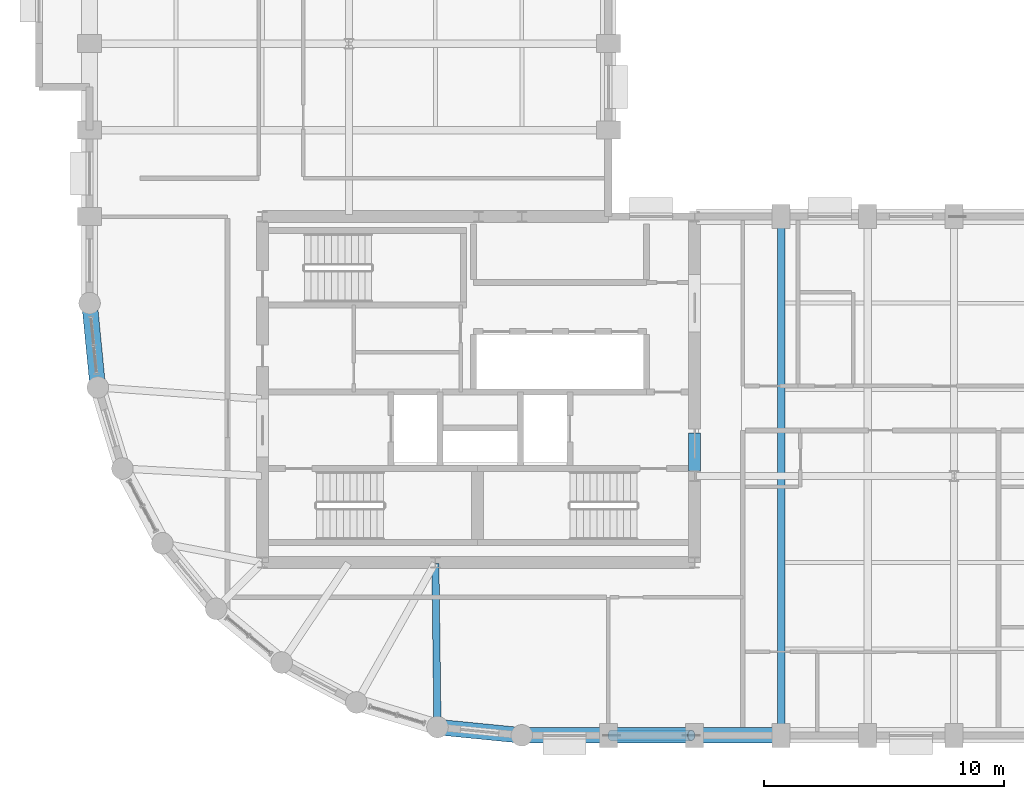
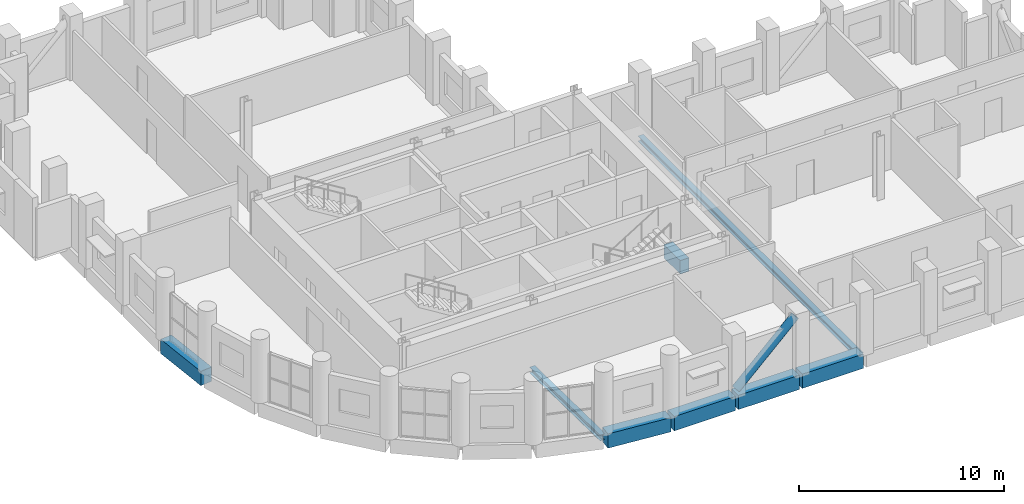
# One storey, part 4 of 14: 8 beams, 1 member.
"""IFC4 building model written with IfcOpenShell, lengths in metres."""

from ifc_helpers import new_model, si_unit, direction, frame, origin, origin_2d, place, context, subcontext, project, spatial, rectangle, hollow_circle, i_section, extrude, material, material_profile, profile_set, type_object, element, save


model = new_model("IFC4")

# Units and contexts
model_context = context("Model", 3, precision=1e-05, world=origin(), true_north=direction((0.0, 1.0)))
body_context = subcontext(model_context, "Body", "Model", "MODEL_VIEW")
ifc_project = project(units=[si_unit("LENGTHUNIT", "METRE"), si_unit("AREAUNIT", "SQUARE_METRE"), si_unit("VOLUMEUNIT", "CUBIC_METRE"), si_unit("PLANEANGLEUNIT", "RADIAN"), si_unit("MASSUNIT", "GRAM", prefix="KILO")], contexts=[model_context])

# Site, building, storey
site_placement = place(None, origin())
site = spatial("IfcSite", under=ifc_project, at=site_placement, CompositionType="ELEMENT")
building_placement = place(site_placement, origin())
building = spatial("IfcBuilding", under=site, at=building_placement, Name="Solnavia Interchange Tower", CompositionType="ELEMENT")
storey_placement = place(building_placement, frame((0.0, 0.0, 158.0)))
storey = spatial("IfcBuildingStorey", under=building, at=storey_placement, Name="L39", CompositionType="ELEMENT", Elevation=158.0)

# Beams
ifc_material_1 = material(Name="Concrete C50/60", Category="concrete")
ifc_material_profile_1 = material_profile(ifc_material_1, rectangle(XDim=0.5, YDim=0.800048828125, at=origin_2d()), Name="RC 500x800")
ifc_profile_set_1 = profile_set([ifc_material_profile_1], Name="Concrete C50/60")
beam_type_1 = type_object("IfcBeamType", Name="Beam-Coupling-RC500x800", PredefinedType="LINTEL", material=ifc_profile_set_1)
beam_1_placement = place(storey_placement, frame((32.39990234375, 14.60009765625, -0.39990234375), z_axis=(0.0, 1.0, 0.0), x_axis=(-1.0, 0.0, 0.0)))
element("IfcBeam", 1, at=beam_1_placement, inside=storey, type_object=beam_type_1, Name="CPB-L39-E1 Core coupling lintel beam", PredefinedType="LINTEL", context=body_context, shape_type="SweptSolid", body=[
    extrude(rectangle(XDim=0.5, YDim=0.800048828125, at=origin_2d()), origin(), (0.0, 0.0, 1.0), 1.599853515625),
])
ifc_material_2 = material(Name="Steel S355", Category="steel")
ifc_material_profile_2 = material_profile(ifc_material_2, i_section(OverallWidth=0.300048828125, OverallDepth=0.31005859375, WebThickness=0.009033203125, FlangeThickness=0.015380859375, FilletRadius=0.027099609375, at=origin_2d()), Name="HEA 320")
ifc_profile_set_2 = profile_set([ifc_material_profile_2], Name="Steel S355")
beam_type_2 = type_object("IfcBeamType", Name="Beam-Primary-HEA320", PredefinedType="BEAM", material=ifc_profile_set_2)
beam_2_placement = place(storey_placement, frame((36.0, 3.679931640625, -0.405029296875), z_axis=(0.0, 1.0, 0.0), x_axis=(-1.0, 0.0, 0.0)))
element("IfcBeam", 2, at=beam_2_placement, inside=storey, type_object=beam_type_2, Name="GRD-L39-EW03 East wing primary floor girder", PredefinedType="BEAM", context=body_context, shape_type="SweptSolid", body=[
    extrude(i_section(OverallWidth=0.300048828125, OverallDepth=0.31005859375, WebThickness=0.009033203125, FlangeThickness=0.015380859375, FilletRadius=0.027099609375, at=origin_2d()), origin(), (0.0, 0.0, 1.0), 21.440185546875),
])
ifc_material_profile_3 = material_profile(ifc_material_2, i_section(OverallWidth=0.300048828125, OverallDepth=0.35009765625, WebThickness=0.010009765625, FlangeThickness=0.017578125, FilletRadius=0.027099609375, at=origin_2d()), Name="HEA 360")
ifc_profile_set_3 = profile_set([ifc_material_profile_3], Name="Steel S355")
beam_type_3 = type_object("IfcBeamType", Name="Beam-Primary-HEA360", PredefinedType="BEAM", material=ifc_profile_set_3)
beam_3_placement = place(storey_placement, frame((21.68701171875, 4.02587890625, -0.425048828125), z_axis=(-0.01283293513, 0.999917654498, 0.0), x_axis=(-0.999917654498, -0.01283293513, 0.0)))
element("IfcBeam", 3, at=beam_3_placement, inside=storey, type_object=beam_type_3, Name="GRD-L39-DR20 Drum radial floor girder", PredefinedType="BEAM", context=body_context, shape_type="SweptSolid", body=[
    extrude(i_section(OverallWidth=0.300048828125, OverallDepth=0.35009765625, WebThickness=0.010009765625, FlangeThickness=0.017578125, FilletRadius=0.027099609375, at=origin_2d()), origin(), (0.0, 0.0, 1.0), 6.734619140625),
])
ifc_material_profile_4 = material_profile(ifc_material_1, rectangle(XDim=0.64990234375, YDim=0.85009765625, at=origin_2d()), Name="RC 650x850")
ifc_profile_set_4 = profile_set([ifc_material_profile_4], Name="Concrete C50/60")
beam_type_4 = type_object("IfcBeamType", Name="Beam-Spandrel-RC650x850", PredefinedType="SPANDREL", material=ifc_profile_set_4)
beam_4_placement = place(storey_placement, frame((7.207763671875, 21.5205078125, -0.425048828125), z_axis=(0.098040038117, -0.995182471171, 0.0), x_axis=(0.995182471171, 0.098040038117, 0.0)))
element("IfcBeam", 4, at=beam_4_placement, inside=storey, type_object=beam_type_4, Name="SPB-L39-01 Framed-tube perimeter spandrel beam", PredefinedType="SPANDREL", context=body_context, shape_type="SweptSolid", body=[
    extrude(rectangle(XDim=0.64990234375, YDim=0.85009765625, at=origin_2d()), origin(), (0.0, 0.0, 1.0), 3.369140625),
])
beam_5_placement = place(storey_placement, frame((21.767578125, 3.938232421875, -0.425048828125), z_axis=(0.995181774609, -0.098047108501, 0.0), x_axis=(0.098047108501, 0.995181774609, 0.0)))
element("IfcBeam", 5, at=beam_5_placement, inside=storey, type_object=beam_type_4, Name="SPB-L39-08 Framed-tube perimeter spandrel beam", PredefinedType="SPANDREL", context=body_context, shape_type="SweptSolid", body=[
    extrude(rectangle(XDim=0.64990234375, YDim=0.85009765625, at=origin_2d()), origin(), (0.0, 0.0, 1.0), 3.368896484375),
])
beam_6_placement = place(storey_placement, frame((25.280029296875, 3.60009765625, -0.425048828125), z_axis=(1.0, 0.0, 0.0), x_axis=(0.0, 1.0, 0.0)))
element("IfcBeam", 6, at=beam_6_placement, inside=storey, type_object=beam_type_4, Name="SPB-L39-09 Framed-tube perimeter spandrel beam", PredefinedType="SPANDREL", context=body_context, shape_type="SweptSolid", body=[
    extrude(rectangle(XDim=0.64990234375, YDim=0.85009765625, at=origin_2d()), origin(), (0.0, 0.0, 1.0), 3.43994140625),
])
beam_7_placement = place(storey_placement, frame((28.8798828125, 3.60009765625, -0.425048828125), z_axis=(1.0, 0.0, 0.0), x_axis=(0.0, 1.0, 0.0)))
element("IfcBeam", 7, at=beam_7_placement, inside=storey, type_object=beam_type_4, Name="SPB-L39-10 Framed-tube perimeter spandrel beam", PredefinedType="SPANDREL", context=body_context, shape_type="SweptSolid", body=[
    extrude(rectangle(XDim=0.64990234375, YDim=0.85009765625, at=origin_2d()), origin(), (0.0, 0.0, 1.0), 3.440185546875),
])
beam_8_placement = place(storey_placement, frame((32.47998046875, 3.60009765625, -0.425048828125), z_axis=(1.0, 0.0, 0.0), x_axis=(0.0, 1.0, 0.0)))
element("IfcBeam", 8, at=beam_8_placement, inside=storey, type_object=beam_type_4, Name="SPB-L39-11 Framed-tube perimeter spandrel beam", PredefinedType="SPANDREL", context=body_context, shape_type="SweptSolid", body=[
    extrude(rectangle(XDim=0.64990234375, YDim=0.85009765625, at=origin_2d()), origin(), (0.0, 0.0, 1.0), 3.43994140625),
])

# Member
ifc_material_3 = material(Name="Steel S460", Category="steel")
ifc_material_profile_5 = material_profile(ifc_material_3, hollow_circle(Radius=0.228515625, WallThickness=0.02001953125, at=origin_2d()), Name="CHS 457x20")
ifc_profile_set_5 = profile_set([ifc_material_profile_5], Name="Steel S460")
member_type = type_object("IfcMemberType", Name="Brace-Perim-CHS457", PredefinedType="BRACE", material=ifc_profile_set_5)
member_placement = place(storey_placement, frame((28.93994140625, 3.60009765625, 0.179931640625), z_axis=(0.721070427335, 0.0, 0.692861774688), x_axis=(0.0, 1.0, 0.0)))
element("IfcMember", 9, at=member_placement, inside=storey, type_object=member_type, Name="BRC-L39-01 Perimeter tube diagonal brace", PredefinedType="BRACE", context=body_context, shape_type="SweptSolid", body=[
    extrude(hollow_circle(Radius=0.228515625, WallThickness=0.02001953125, at=origin_2d()), origin(), (0.0, 0.0, 1.0), 4.604248046875),
])

save(model, "model.ifc")
